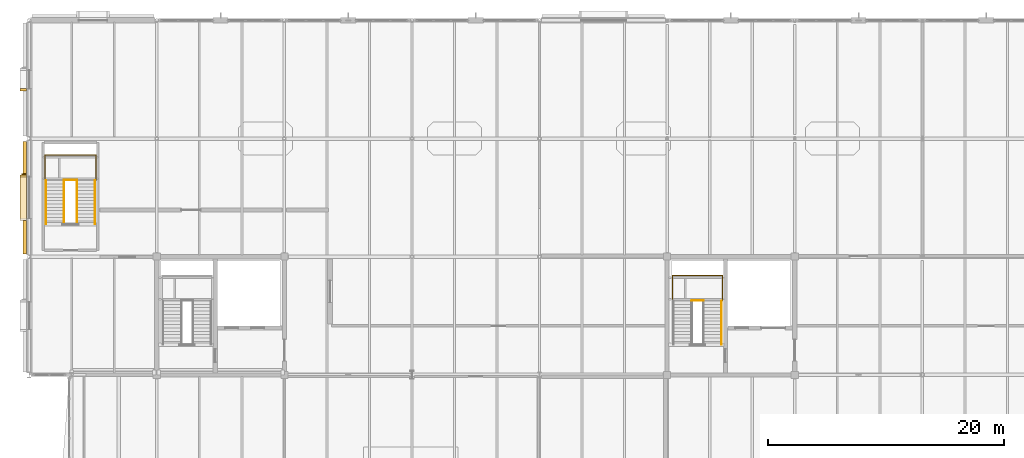
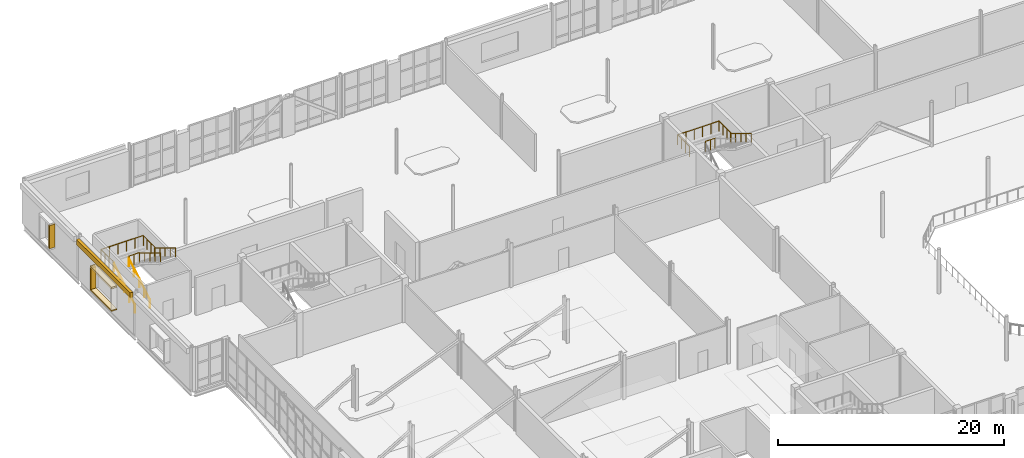
# One storey, part 97 of 100: 9 railings, 5 coverings, 1 shading device.
"""IFC4 building model written with IfcOpenShell, lengths in metres."""

from ifc_helpers import new_model, si_unit, direction, frame, origin, origin_2d, place, context, subcontext, project, spatial, rectangle, circle, extrude, material, layer, layer_set, type_object, element, save


model = new_model("IFC4")

# Units and contexts
model_context = context("Model", 3, precision=1e-05, world=origin(), true_north=direction((0.0, 1.0)))
body_context = subcontext(model_context, "Body", "Model", "MODEL_VIEW")
ifc_project = project(units=[si_unit("LENGTHUNIT", "METRE"), si_unit("AREAUNIT", "SQUARE_METRE"), si_unit("VOLUMEUNIT", "CUBIC_METRE"), si_unit("PLANEANGLEUNIT", "RADIAN"), si_unit("MASSUNIT", "GRAM", prefix="KILO")], contexts=[model_context])

# Site, building, storey
site_placement = place(None, origin())
site = spatial("IfcSite", under=ifc_project, at=site_placement, CompositionType="ELEMENT")
building_placement = place(site_placement, origin())
building = spatial("IfcBuilding", under=site, at=building_placement, Name="Tasgan Crest Museum", CompositionType="ELEMENT")
storey_placement = place(building_placement, frame((0.0, 0.0, 9.60009765625)))
storey = spatial("IfcBuildingStorey", under=building, at=storey_placement, Name="L02", CompositionType="ELEMENT", Elevation=9.60009765625)

# Coverings
ifc_material_1 = material(Name="Honed Rose-Red Mongolian Granite", Category="masonry")
ifc_layer_1 = layer(ifc_material_1, 0.0400390625, Name="COV-GRANITE-ROSE")
ifc_layer_set_1 = layer_set([ifc_layer_1], Name="Honed Rose-Red Mongolian Granite")
covering_type_1 = type_object("IfcCoveringType", Name="COV-GRANITE-ROSE", PredefinedType="CLADDING", material=ifc_layer_set_1)
covering_1_placement = place(storey_placement, frame((-0.5, 106.135009765625, 1.0), z_axis=(0.0, 0.0, 1.0), x_axis=(0.0, -1.0, 0.0)))
element("IfcCovering", 1, at=covering_1_placement, inside=storey, type_object=covering_type_1, Name="Deep window reveal jamb L02-045", PredefinedType="CLADDING", context=body_context, shape_type="SweptSolid", body=[
    extrude(rectangle(XDim=0.179931640625, YDim=0.550048828125, at=origin_2d()), origin(), (0.0, 0.0, 1.0), 2.5),
])
covering_2_placement = place(storey_placement, frame((-0.5, 98.840087890625, 1.0), z_axis=(0.0, 0.0, 1.0), x_axis=(0.0, -1.0, 0.0)))
element("IfcCovering", 2, at=covering_2_placement, inside=storey, type_object=covering_type_1, Name="Deep window reveal jamb L02-046", PredefinedType="CLADDING", context=body_context, shape_type="SweptSolid", body=[
    extrude(rectangle(XDim=0.179931640625, YDim=0.550048828125, at=origin_2d()), origin(), (0.0, 0.0, 1.0), 2.300048828125),
])
ifc_material_2 = material(Name="Honed Buff Limestone", Category="masonry")
ifc_layer_2 = layer(ifc_material_2, 0.044921875, Name="COV-LIMESTONE-BUFF")
ifc_layer_set_2 = layer_set([ifc_layer_2], Name="Honed Buff Limestone")
covering_type_2 = type_object("IfcCoveringType", Name="COV-LIMESTONE-BUFF", PredefinedType="CLADDING", material=ifc_layer_set_2)
covering_3_placement = place(storey_placement, frame((-0.364990234375, 97.0, 3.9599609375), z_axis=(0.0, 0.0, 1.0), x_axis=(0.0, -1.0, 0.0)))
element("IfcCovering", 3, at=covering_3_placement, inside=storey, type_object=covering_type_2, Name="Stone frieze cladding L02", PredefinedType="CLADDING", context=body_context, shape_type="SweptSolid", body=[
    extrude(rectangle(XDim=9.534912109375, YDim=0.280029296875, at=origin_2d()), origin(), (0.0, 0.0, 1.0), 0.550048828125),
])
covering_4_placement = place(storey_placement, frame((-0.5, 97.0, 3.2998046875), z_axis=(0.0, 0.0, 1.0), x_axis=(0.0, -1.0, 0.0)))
element("IfcCovering", 4, at=covering_4_placement, inside=storey, type_object=covering_type_2, Name="Deep window hood L02-046", PredefinedType="CLADDING", context=body_context, shape_type="SweptSolid", body=[
    extrude(rectangle(XDim=3.860107421875, YDim=0.550048828125, at=origin_2d()), origin(), (0.0, 0.0, 1.0), 0.179931640625),
])
covering_5_placement = place(storey_placement, frame((-0.5, 97.0, 0.85986328125), z_axis=(0.0, 0.0, 1.0), x_axis=(0.0, -1.0, 0.0)))
element("IfcCovering", 5, at=covering_5_placement, inside=storey, type_object=covering_type_2, Name="Deep window sill L02-046", PredefinedType="CLADDING", context=body_context, shape_type="SweptSolid", body=[
    extrude(rectangle(XDim=3.860107421875, YDim=0.550048828125, at=origin_2d()), origin(), (0.0, 0.0, 1.0), 0.139892578125),
])

# Railings
ifc_material_3 = material(Name="Brushed Bronze and Toughened Glass", Category="glass")
railing_type_1 = type_object("IfcRailingType", Name="RL-INT-GUARD-1120", PredefinedType="GUARDRAIL", material=ifc_material_3)
railing_1_placement = place(storey_placement, frame((56.080078125, 88.27490234375, 2.39990234375)))
element("IfcRailing", 6, at=railing_1_placement, inside=storey, type_object=railing_type_1, Name="Stair half-landing well guard ST-NC-L02 T1", PredefinedType="GUARDRAIL", context=body_context, shape_type="SweptSolid", body=[
    extrude(circle(Radius=0.02392578125, at=origin_2d()), frame((0.0, 0.0, 1.09619140625), z_axis=(1.0, 0.0, 0.0), x_axis=(0.0, 1.0, 0.0)), (0.0, 0.0, 1.0), 0.989990234375),
    extrude(circle(Radius=0.02099609375, at=origin_2d()), origin(), (0.0, 0.0, 1.0), 1.072021484375),
    extrude(circle(Radius=0.02099609375, at=origin_2d()), frame((0.4951171875, 0.0, 0.0)), (0.0, 0.0, 1.0), 1.072021484375),
    extrude(circle(Radius=0.02099609375, at=origin_2d()), frame((0.989990234375, 0.0, 0.0)), (0.0, 0.0, 1.0), 1.072021484375),
])
railing_2_placement = place(storey_placement, frame((54.4599609375, 88.294921875, 2.39990234375)))
element("IfcRailing", 7, at=railing_2_placement, inside=storey, type_object=railing_type_1, Name="Stair half-landing perimeter guard ST-NC-L02 T1", PredefinedType="GUARDRAIL", context=body_context, shape_type="SweptSolid", body=[
    extrude(circle(Radius=0.02392578125, at=origin_2d()), frame((0.0, 0.0, 1.09619140625), z_axis=(0.0, 1.0, 0.0), x_axis=(-1.0, 0.0, 0.0)), (0.0, 0.0, 1.0), 2.10009765625),
    extrude(circle(Radius=0.02392578125, at=origin_2d()), frame((0.0, 2.10009765625, 1.09619140625), z_axis=(1.0, 0.0, 0.0), x_axis=(0.0, 1.0, 0.0)), (0.0, 0.0, 1.0), 4.22998046875),
    extrude(circle(Radius=0.02392578125, at=origin_2d()), frame((4.22998046875, 2.10009765625, 1.09619140625), z_axis=(0.0, -1.0, 0.0), x_axis=(1.0, 0.0, 0.0)), (0.0, 0.0, 1.0), 2.10009765625),
    extrude(circle(Radius=0.02099609375, at=origin_2d()), origin(), (0.0, 0.0, 1.0), 1.072021484375),
    extrude(circle(Radius=0.02099609375, at=origin_2d()), frame((0.0, 0.699951171875, 0.0)), (0.0, 0.0, 1.0), 1.072021484375),
    extrude(circle(Radius=0.02099609375, at=origin_2d()), frame((0.0, 1.400146484375, 0.0)), (0.0, 0.0, 1.0), 1.072021484375),
    extrude(circle(Radius=0.02099609375, at=origin_2d()), frame((0.0, 2.10009765625, 0.0)), (0.0, 0.0, 1.0), 1.072021484375),
    extrude(circle(Radius=0.02099609375, at=origin_2d()), frame((0.845947265625, 2.10009765625, 0.0)), (0.0, 0.0, 1.0), 1.072021484375),
    extrude(circle(Radius=0.02099609375, at=origin_2d()), frame((1.69189453125, 2.10009765625, 0.0)), (0.0, 0.0, 1.0), 1.072021484375),
    extrude(circle(Radius=0.02099609375, at=origin_2d()), frame((2.5380859375, 2.10009765625, 0.0)), (0.0, 0.0, 1.0), 1.072021484375),
    extrude(circle(Radius=0.02099609375, at=origin_2d()), frame((3.384033203125, 2.10009765625, 0.0)), (0.0, 0.0, 1.0), 1.072021484375),
    extrude(circle(Radius=0.02099609375, at=origin_2d()), frame((4.22998046875, 2.10009765625, 0.0)), (0.0, 0.0, 1.0), 1.072021484375),
    extrude(circle(Radius=0.02099609375, at=origin_2d()), frame((4.22998046875, 1.400146484375, 0.0)), (0.0, 0.0, 1.0), 1.072021484375),
    extrude(circle(Radius=0.02099609375, at=origin_2d()), frame((4.22998046875, 0.699951171875, 0.0)), (0.0, 0.0, 1.0), 1.072021484375),
    extrude(circle(Radius=0.02099609375, at=origin_2d()), frame((4.22998046875, 0.0, 0.0)), (0.0, 0.0, 1.0), 1.072021484375),
])
railing_3_placement = place(storey_placement, frame((2.9599609375, 98.47509765625, 2.39990234375)))
element("IfcRailing", 8, at=railing_3_placement, inside=storey, type_object=railing_type_1, Name="Stair half-landing well guard ST-GW-L02 T1", PredefinedType="GUARDRAIL", context=body_context, shape_type="SweptSolid", body=[
    extrude(circle(Radius=0.02392578125, at=origin_2d()), frame((0.0, 0.0, 1.09619140625), z_axis=(1.0, 0.0, 0.0), x_axis=(0.0, 1.0, 0.0)), (0.0, 0.0, 1.0), 1.080078125),
    extrude(circle(Radius=0.02099609375, at=origin_2d()), origin(), (0.0, 0.0, 1.0), 1.072021484375),
    extrude(circle(Radius=0.02099609375, at=origin_2d()), frame((0.5400390625, 0.0, 0.0)), (0.0, 0.0, 1.0), 1.072021484375),
    extrude(circle(Radius=0.02099609375, at=origin_2d()), frame((1.080078125, 0.0, 0.0)), (0.0, 0.0, 1.0), 1.072021484375),
])
railing_4_placement = place(storey_placement, frame((1.340087890625, 98.4951171875, 2.39990234375)))
element("IfcRailing", 9, at=railing_4_placement, inside=storey, type_object=railing_type_1, Name="Stair half-landing perimeter guard ST-GW-L02 T1", PredefinedType="GUARDRAIL", context=body_context, shape_type="SweptSolid", body=[
    extrude(circle(Radius=0.02392578125, at=origin_2d()), frame((0.0, 0.0, 1.09619140625), z_axis=(0.0, 1.0, 0.0), x_axis=(-1.0, 0.0, 0.0)), (0.0, 0.0, 1.0), 2.099853515625),
    extrude(circle(Radius=0.02392578125, at=origin_2d()), frame((0.0, 2.099853515625, 1.09619140625), z_axis=(1.0, 0.0, 0.0), x_axis=(0.0, 1.0, 0.0)), (0.0, 0.0, 1.0), 4.31982421875),
    extrude(circle(Radius=0.02392578125, at=origin_2d()), frame((4.31982421875, 2.099853515625, 1.09619140625), z_axis=(0.0, -1.0, 0.0), x_axis=(1.0, 0.0, 0.0)), (0.0, 0.0, 1.0), 2.099853515625),
    extrude(circle(Radius=0.02099609375, at=origin_2d()), origin(), (0.0, 0.0, 1.0), 1.072021484375),
    extrude(circle(Radius=0.02099609375, at=origin_2d()), frame((0.0, 0.699951171875, 0.0)), (0.0, 0.0, 1.0), 1.072021484375),
    extrude(circle(Radius=0.02099609375, at=origin_2d()), frame((0.0, 1.39990234375, 0.0)), (0.0, 0.0, 1.0), 1.072021484375),
    extrude(circle(Radius=0.02099609375, at=origin_2d()), frame((0.0, 2.099853515625, 0.0)), (0.0, 0.0, 1.0), 1.072021484375),
    extrude(circle(Radius=0.02099609375, at=origin_2d()), frame((0.864013671875, 2.099853515625, 0.0)), (0.0, 0.0, 1.0), 1.072021484375),
    extrude(circle(Radius=0.02099609375, at=origin_2d()), frame((1.72802734375, 2.099853515625, 0.0)), (0.0, 0.0, 1.0), 1.072021484375),
    extrude(circle(Radius=0.02099609375, at=origin_2d()), frame((2.591796875, 2.099853515625, 0.0)), (0.0, 0.0, 1.0), 1.072021484375),
    extrude(circle(Radius=0.02099609375, at=origin_2d()), frame((3.455810546875, 2.099853515625, 0.0)), (0.0, 0.0, 1.0), 1.072021484375),
    extrude(circle(Radius=0.02099609375, at=origin_2d()), frame((4.31982421875, 2.099853515625, 0.0)), (0.0, 0.0, 1.0), 1.072021484375),
    extrude(circle(Radius=0.02099609375, at=origin_2d()), frame((4.31982421875, 1.39990234375, 0.0)), (0.0, 0.0, 1.0), 1.072021484375),
    extrude(circle(Radius=0.02099609375, at=origin_2d()), frame((4.31982421875, 0.699951171875, 0.0)), (0.0, 0.0, 1.0), 1.072021484375),
    extrude(circle(Radius=0.02099609375, at=origin_2d()), frame((4.31982421875, 0.0, 0.0)), (0.0, 0.0, 1.0), 1.072021484375),
])
ifc_material_4 = material(Name="Brushed Stainless Steel", Category="steel")
railing_type_2 = type_object("IfcRailingType", Name="RL-STAIR-HAND-920", PredefinedType="HANDRAIL", material=ifc_material_4)
railing_5_placement = place(storey_placement, frame((58.610107421875, 88.2548828125, 2.5712890625)))
element("IfcRailing", 10, at=railing_5_placement, inside=storey, type_object=railing_type_2, Name="Stair handrail STAIR-CORE-NC-L02-F2 L", PredefinedType="HANDRAIL", context=body_context, shape_type="SweptSolid", body=[
    extrude(circle(Radius=0.02392578125, at=origin_2d()), frame((0.0, 0.0, 0.89599609375), z_axis=(0.0, -0.856919398105, 0.515450429384), x_axis=(1.0, 0.0, 0.0)), (0.0, 0.0, 1.0), 4.323486328125),
    extrude(circle(Radius=0.02099609375, at=origin_2d()), origin(), (0.0, 0.0, 1.0), 0.871826171875),
    extrude(circle(Radius=0.02099609375, at=origin_2d()), frame((0.0, -0.92626953125, 0.55712890625)), (0.0, 0.0, 1.0), 0.871826171875),
    extrude(circle(Radius=0.02099609375, at=origin_2d()), frame((0.0, -1.8525390625, 1.1142578125)), (0.0, 0.0, 1.0), 0.871826171875),
    extrude(circle(Radius=0.02099609375, at=origin_2d()), frame((0.0, -2.778564453125, 1.67138671875)), (0.0, 0.0, 1.0), 0.871826171875),
    extrude(circle(Radius=0.02099609375, at=origin_2d()), frame((0.0, -3.704833984375, 2.228515625)), (0.0, 0.0, 1.0), 0.871826171875),
])
for number, where, name in (
    (11, (1.419921875, 94.75, 0.17138671875), "Stair handrail STAIR-GALW-L02-F1 L"),
    (12, (2.9599609375, 94.75, 0.17138671875), "Stair handrail STAIR-GALW-L02-F1 R"),
):
    element("IfcRailing", number, at=place(storey_placement, frame(where)), inside=storey, type_object=railing_type_2, Name=name, PredefinedType="HANDRAIL", context=body_context, shape_type="SweptSolid", body=[
        extrude(circle(Radius=0.02392578125, at=origin_2d()), frame((0.0, 0.0, 0.89599609375), z_axis=(0.0, 0.856934400257, 0.515425487977), x_axis=(-1.0, 0.0, 0.0)), (0.0, 0.0, 1.0), 4.32373046875),
        extrude(circle(Radius=0.02099609375, at=origin_2d()), origin(), (0.0, 0.0, 1.0), 0.871826171875),
        extrude(circle(Radius=0.02099609375, at=origin_2d()), frame((0.0, 0.92626953125, 0.55712890625)), (0.0, 0.0, 1.0), 0.871826171875),
        extrude(circle(Radius=0.02099609375, at=origin_2d()), frame((0.0, 1.8525390625, 1.1142578125)), (0.0, 0.0, 1.0), 0.871826171875),
        extrude(circle(Radius=0.02099609375, at=origin_2d()), frame((0.0, 2.77880859375, 1.67138671875)), (0.0, 0.0, 1.0), 0.871826171875),
        extrude(circle(Radius=0.02099609375, at=origin_2d()), frame((0.0, 3.705078125, 2.228515625)), (0.0, 0.0, 1.0), 0.871826171875),
    ])
for number, where, name in (
    (13, (5.580078125, 98.455078125, 2.5712890625), "Stair handrail STAIR-GALW-L02-F2 L"),
    (14, (4.0400390625, 98.455078125, 2.5712890625), "Stair handrail STAIR-GALW-L02-F2 R"),
):
    element("IfcRailing", number, at=place(storey_placement, frame(where)), inside=storey, type_object=railing_type_2, Name=name, PredefinedType="HANDRAIL", context=body_context, shape_type="SweptSolid", body=[
        extrude(circle(Radius=0.02392578125, at=origin_2d()), frame((0.0, 0.0, 0.89599609375), z_axis=(0.0, -0.856934400257, 0.515425487977), x_axis=(1.0, 0.0, 0.0)), (0.0, 0.0, 1.0), 4.32373046875),
        extrude(circle(Radius=0.02099609375, at=origin_2d()), origin(), (0.0, 0.0, 1.0), 0.871826171875),
        extrude(circle(Radius=0.02099609375, at=origin_2d()), frame((0.0, -0.92626953125, 0.55712890625)), (0.0, 0.0, 1.0), 0.871826171875),
        extrude(circle(Radius=0.02099609375, at=origin_2d()), frame((0.0, -1.8525390625, 1.1142578125)), (0.0, 0.0, 1.0), 0.871826171875),
        extrude(circle(Radius=0.02099609375, at=origin_2d()), frame((0.0, -2.77880859375, 1.67138671875)), (0.0, 0.0, 1.0), 0.871826171875),
        extrude(circle(Radius=0.02099609375, at=origin_2d()), frame((0.0, -3.705078125, 2.228515625)), (0.0, 0.0, 1.0), 0.871826171875),
    ])

# Shading device
ifc_material_5 = material(Name="Anodised Bronze Aluminium", Category="aluminium")
shading_device_type = type_object("IfcShadingDeviceType", Name="SH-FIN-V400", PredefinedType="JALOUSIE", material=ifc_material_5)
shading_device_placement = place(storey_placement, frame((-0.43505859375, 98.969970703125, 0.89990234375), z_axis=(0.0, 0.0, 1.0), x_axis=(0.0, -1.0, 0.0)))
element("IfcShadingDevice", 15, at=shading_device_placement, inside=storey, type_object=shading_device_type, Name="Solar shading fin L02-046", PredefinedType="JALOUSIE", context=body_context, shape_type="SweptSolid", body=[
    extrude(rectangle(XDim=0.080078125, YDim=0.419921875, at=origin_2d()), origin(), (0.0, 0.0, 1.0), 2.5),
])

save(model, "model.ifc")
